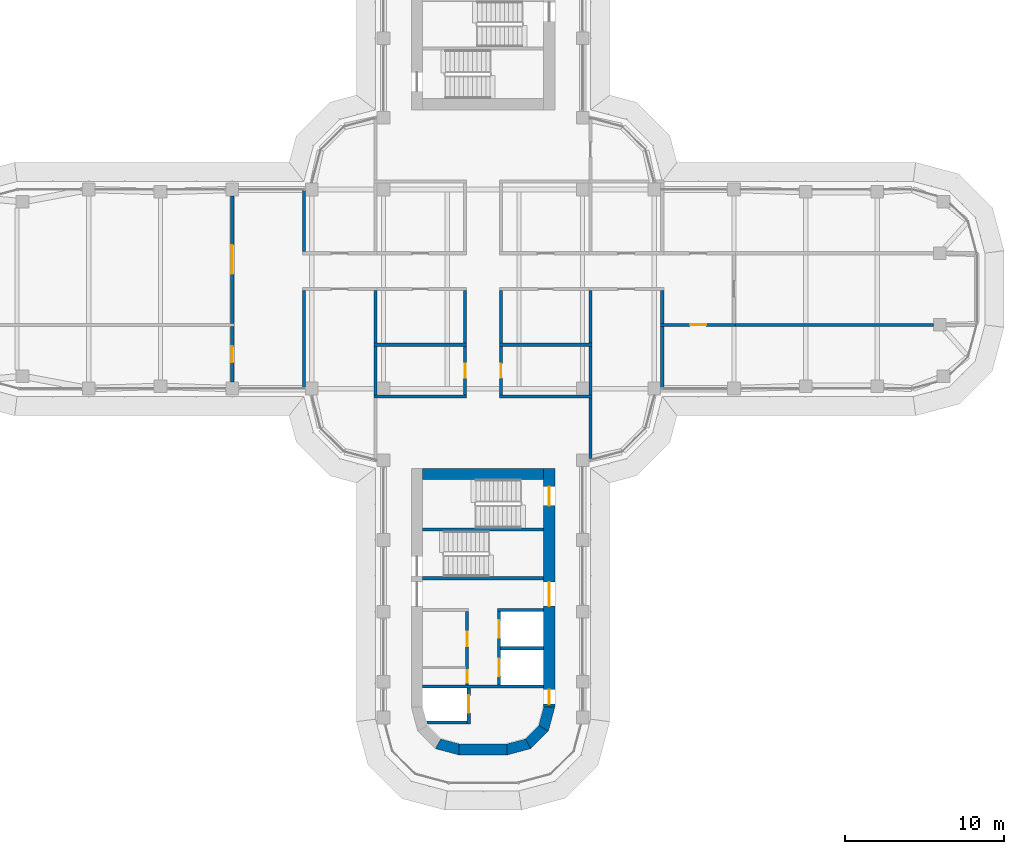
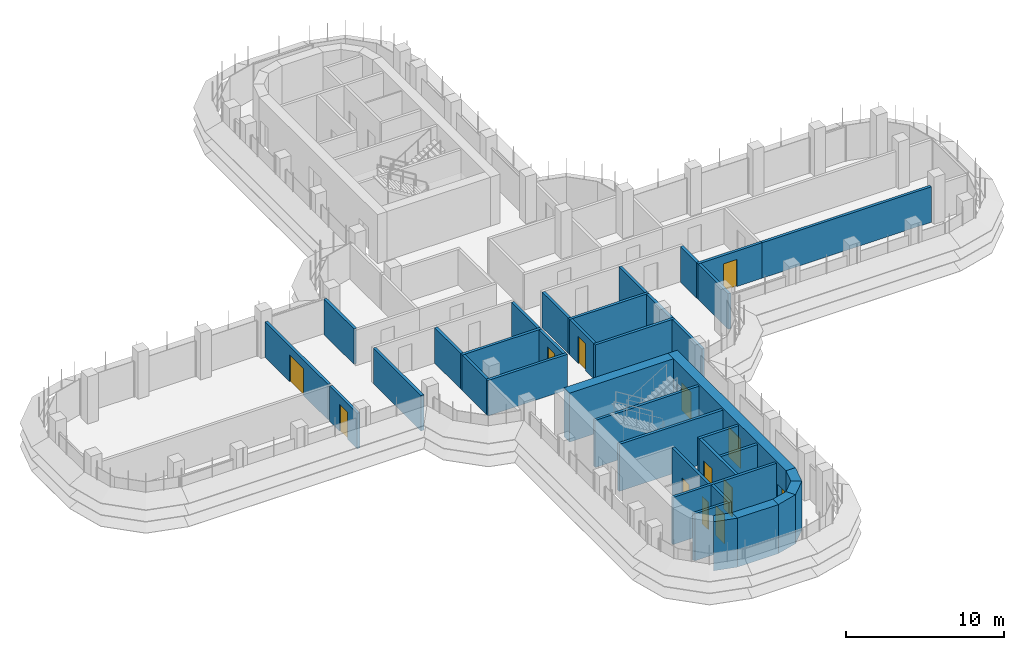
# One storey, part 13 of 19: 37 walls, 13 doors, 13 openings.
"""IFC4 building model written with IfcOpenShell, lengths in metres."""

import ifcopenshell
import ifcopenshell.guid

model = None  # the IFC model being written
_history = None  # IfcOwnerHistory: only IFC2X3 demands one
_inside = {}  # id of a spatial element -> (the spatial element, [elements in it])
_under = {}  # id of a project, library or spatial element -> (it, [spatial elements below it])
_declared = {}  # id of a project -> (the project, [libraries it declares])
_typed = {}  # id of a type object -> (the type object, [elements of that type])
_made_of = {}  # id of a material, layer set ... -> (it, [elements and type objects made of it])


def new_model(schema):
    """Start an empty IFC model of exactly this schema.

    Asked for "IFC4X3", IfcOpenShell would pick the latest addendum, in which some entities
    have other attributes; the version numbers below select the first issue.
    IFC2X3 requires an IfcOwnerHistory on every rooted entity: one is made here for all.
    """
    global model, _history
    if schema == "IFC4X3":
        model = ifcopenshell.file(schema_version=(4, 3, 0, 0))
    else:
        model = ifcopenshell.file(schema=schema)
    _inside.clear()
    _under.clear()
    _declared.clear()
    _typed.clear()
    _made_of.clear()
    _history = None
    if model.schema == "IFC2X3":
        org = make("IfcOrganization", Name="unknown")
        user = make(
            "IfcPersonAndOrganization",
            ThePerson=make("IfcPerson", FamilyName="unknown"),
            TheOrganization=org,
        )
        app = make(
            "IfcApplication",
            ApplicationDeveloper=org,
            Version="unknown",
            ApplicationFullName="unknown",
            ApplicationIdentifier="unknown",
        )
        _history = make(
            "IfcOwnerHistory",
            OwningUser=user,
            OwningApplication=app,
            ChangeAction="ADDED",
            CreationDate=0,
        )
    return model


def make(cls, **values):
    """One entity of the class cls with the attributes given. An attribute that is None is left unset."""
    return model.create_entity(
        cls, **{name: value for name, value in values.items() if value is not None}
    )


def rooted(cls, **values):
    """An entity with a GlobalId (a new one), such as an element, a storey or a relation."""
    return make(cls, GlobalId=ifcopenshell.guid.new(), OwnerHistory=_history, **values)


def si_unit(unit_type, name, prefix=None):
    """IfcSIUnit, for example si_unit("LENGTHUNIT", "METRE", prefix="MILLI")."""
    return make("IfcSIUnit", UnitType=unit_type, Prefix=prefix, Name=name)


def assignment(units):
    """IfcUnitAssignment: the units of a project."""
    return None if units is None else make("IfcUnitAssignment", Units=units)


def point(xyz):
    """IfcCartesianPoint."""
    return None if xyz is None else make("IfcCartesianPoint", Coordinates=xyz)


def direction(xyz):
    """IfcDirection."""
    return None if xyz is None else make("IfcDirection", DirectionRatios=xyz)


def frame(location, z_axis=None, x_axis=None):
    """IfcAxis2Placement3D, a coordinate frame: its origin and axes. An axis left out is left unset."""
    return make(
        "IfcAxis2Placement3D",
        Location=point(location),
        Axis=direction(z_axis),
        RefDirection=direction(x_axis),
    )


def frame_2d(location, x_axis=None):
    """IfcAxis2Placement2D, a coordinate frame in the plane: its origin and x axis."""
    return make(
        "IfcAxis2Placement2D", Location=point(location), RefDirection=direction(x_axis)
    )


def origin():
    """The frame at (0, 0, 0) with its axes left unset."""
    return frame((0.0, 0.0, 0.0))


def place(relative_to, where):
    """IfcLocalPlacement: puts the frame where relative to a parent placement (None: the world)."""
    return make(
        "IfcLocalPlacement", PlacementRelTo=relative_to, RelativePlacement=where
    )


def context(
    kind, dimensions, precision=None, world=None, true_north=None, identifier=None
):
    """IfcGeometricRepresentationContext, for example the 3D "Model" context."""
    return make(
        "IfcGeometricRepresentationContext",
        ContextIdentifier=identifier,
        ContextType=kind,
        CoordinateSpaceDimension=dimensions,
        Precision=precision,
        WorldCoordinateSystem=world,
        TrueNorth=true_north,
    )


def subcontext(parent, identifier, kind, view, scale=None):
    """IfcGeometricRepresentationSubContext, for example "Body" below "Model"."""
    return make(
        "IfcGeometricRepresentationSubContext",
        ContextIdentifier=identifier,
        ContextType=kind,
        ParentContext=parent,
        TargetScale=scale,
        TargetView=view,
    )


def project(units=None, contexts=None):
    """IfcProject with its units and contexts."""
    return rooted(
        "IfcProject",
        Name="project",
        RepresentationContexts=contexts,
        UnitsInContext=assignment(units),
    )


def spatial(cls, under=None, at=None, **own):
    """A site, building, storey or space (cls), placed at a placement, below another one or the project."""
    s = rooted(cls, ObjectPlacement=at, **own)
    if under is not None:
        _under.setdefault(under.id(), (under, []))[1].append(s)
    return s


def polyline(points):
    """IfcPolyline through the points."""
    return make("IfcPolyline", Points=[point(p) for p in points])


def profile(cls, at=None, kind="AREA", **sizes):
    """A parametric profile (cls). Its sizes go by their IFC names, for example OverallWidth=200.0."""
    return make(cls, ProfileType=kind, Position=at, **sizes)


def rectangle(**sizes):
    """IfcRectangleProfileDef."""
    return profile("IfcRectangleProfileDef", **sizes)


def outline(outer, holes=None, kind="AREA"):
    """IfcArbitraryClosedProfileDef: a profile drawn as a closed curve; with holes, ...WithVoids."""
    if holes is None:
        return make("IfcArbitraryClosedProfileDef", ProfileType=kind, OuterCurve=outer)
    return make(
        "IfcArbitraryProfileDefWithVoids",
        ProfileType=kind,
        OuterCurve=outer,
        InnerCurves=holes,
    )


def extrude(swept, where, along, depth):
    """IfcExtrudedAreaSolid: the profile swept, set in the frame where, extruded along a direction by depth."""
    return make(
        "IfcExtrudedAreaSolid",
        SweptArea=swept,
        Position=where,
        ExtrudedDirection=direction(along),
        Depth=depth,
    )


def shape(context_of_items, identifier, shape_type, items):
    """IfcShapeRepresentation: the items that make up one representation, for example the "Body"."""
    return make(
        "IfcShapeRepresentation",
        ContextOfItems=context_of_items,
        RepresentationIdentifier=identifier,
        RepresentationType=shape_type,
        Items=items,
    )


def material(Name=None, Category=None):
    """IfcMaterial."""
    return make("IfcMaterial", Name=Name, Category=Category)


def layer(
    of_material, thickness, ventilated=None, Name=None, Category=None, Priority=None
):
    """IfcMaterialLayer: one layer of a wall or slab, of a material (None: an air gap)."""
    return make(
        "IfcMaterialLayer",
        Material=of_material,
        LayerThickness=thickness,
        IsVentilated=ventilated,
        Name=Name,
        Category=Category,
        Priority=Priority,
    )


def layer_set(layers, Name=None):
    """IfcMaterialLayerSet."""
    return make("IfcMaterialLayerSet", MaterialLayers=layers, LayerSetName=Name)


def made_of(thing, what):
    """Note that an element or type object is made of a material, layer set ...; save() writes the relation."""
    if what is not None:
        _made_of.setdefault(what.id(), (what, []))[1].append(thing)
    return thing


def type_object(cls, material=None, **own):
    """A type object (cls), such as IfcWallType, which elements share."""
    return made_of(rooted(cls, **own), material)


def element(
    cls,
    number,
    at=None,
    inside=None,
    cuts=None,
    type_object=None,
    material=None,
    context=None,
    identifier="Body",
    shape_type=None,
    held_by="IfcProductDefinitionShape",
    body=None,
    shapes=None,
    **own,
):
    """One element of the class cls, such as IfcWall. Its Tag is "e" and its number.

    at: its placement. inside: the storey or other place that contains it. cuts: it is an
    opening in that element (IfcRelVoidsElement). A single representation is given by context,
    identifier, shape_type and body (its items); several are given by shapes. held_by: the class
    of the entity that holds the representations. save() writes the other relations.
    """
    e = rooted(cls, Tag="e%d" % number, ObjectPlacement=at, **own)
    if body is not None:
        shapes = [shape(context, identifier, shape_type, body)]
    if shapes is not None:
        e.Representation = make(held_by, Representations=shapes)
    if inside is not None:
        _inside.setdefault(inside.id(), (inside, []))[1].append(e)
    if cuts is not None:
        rooted(
            "IfcRelVoidsElement", RelatingBuildingElement=cuts, RelatedOpeningElement=e
        )
    if type_object is not None:
        _typed.setdefault(type_object.id(), (type_object, []))[1].append(e)
    return made_of(e, material)


def fill(opening, filler):
    """IfcRelFillsElement: the door or window that sits in an opening."""
    return rooted(
        "IfcRelFillsElement",
        RelatingOpeningElement=opening,
        RelatedBuildingElement=filler,
    )


def aggregate(whole, parts):
    """IfcRelAggregates: a whole, such as a stair, and the parts it consists of."""
    return rooted("IfcRelAggregates", RelatingObject=whole, RelatedObjects=parts)


def save(model, path):
    """Write the relations noted so far, then the file.

    IfcRelAggregates (storeys below a building ...), IfcRelContainedInSpatialStructure (elements
    in a storey), IfcRelDefinesByType, IfcRelAssociatesMaterial and IfcRelDeclares: one each for
    every whole, place, type object, material and project.
    """
    for whole, parts in _under.values():
        aggregate(whole, parts)
    for where, things in _inside.values():
        rooted(
            "IfcRelContainedInSpatialStructure",
            RelatedElements=things,
            RelatingStructure=where,
        )
    for kind, things in _typed.values():
        rooted("IfcRelDefinesByType", RelatedObjects=things, RelatingType=kind)
    for what, things in _made_of.values():
        rooted("IfcRelAssociatesMaterial", RelatedObjects=things, RelatingMaterial=what)
    for by, libraries in _declared.values():
        rooted("IfcRelDeclares", RelatingContext=by, RelatedDefinitions=libraries)
    model.write(path)


model = new_model("IFC4")

# Units and contexts
model_context = context("Model", 3, precision=1e-05, world=origin(), true_north=direction((0.0, 1.0)))
body_context = subcontext(model_context, "Body", "Model", "MODEL_VIEW")
ifc_project = project(units=[si_unit("LENGTHUNIT", "METRE"), si_unit("AREAUNIT", "SQUARE_METRE"), si_unit("VOLUMEUNIT", "CUBIC_METRE"), si_unit("PLANEANGLEUNIT", "RADIAN"), si_unit("MASSUNIT", "GRAM", prefix="KILO")], contexts=[model_context])

# Site, building, storey
site_placement = place(None, origin())
site = spatial("IfcSite", under=ifc_project, at=site_placement, CompositionType="ELEMENT")
building_placement = place(site_placement, origin())
building = spatial("IfcBuilding", under=site, at=building_placement, Name="Zarbagh Exchange Tower", CompositionType="ELEMENT")
storey_placement = place(building_placement, frame((0.0, 0.0, 182.800048828125)))
storey = spatial("IfcBuildingStorey", under=building, at=storey_placement, Name="L44", CompositionType="ELEMENT", Elevation=182.800048828125)

# Wall
ifc_material_1 = material(Name="Fire-rated plasterboard partition")
ifc_layer_1 = layer(ifc_material_1, 0.199951171875)
ifc_layer_set_1 = layer_set([ifc_layer_1], Name="RATED PARTITION 200")
wall_type_1 = type_object("IfcWallType", Name="RATED PARTITION 200", PredefinedType="PARTITIONING", material=ifc_layer_set_1)
wall_1_placement = place(storey_placement, frame((1.125, -3.39990234375, 0.0), z_axis=(0.0, 0.0, 1.0), x_axis=(0.0, 1.0, 0.0)))
element("IfcWall", 1, at=wall_1_placement, inside=storey, type_object=wall_type_1, Name="Partition W-1911", PredefinedType="PARTITIONING", context=body_context, shape_type="SweptSolid", body=[
    extrude(rectangle(XDim=3.2998046875, YDim=0.199951171875, at=frame_2d((1.64990234375, 0.0))), origin(), (0.0, 0.0, 1.0), 2.75),
])

# Wall, opening, door
wall_2_placement = place(storey_placement, frame((1.125, -3.60009765625, 0.0), z_axis=(0.0, 0.0, 1.0), x_axis=(0.0, -1.0, 0.0)))
wall_2 = element("IfcWall", 2, at=wall_2_placement, inside=storey, type_object=wall_type_1, Name="Partition W-1912", PredefinedType="PARTITIONING", context=body_context, shape_type="SweptSolid", body=[
    extrude(rectangle(XDim=3.0498046875, YDim=0.199951171875, at=frame_2d((1.52490234375, 0.0))), origin(), (0.0, 0.0, 1.0), 2.75),
])
opening_1_placement = place(wall_2_placement, frame((1.074951171875, 0.0, 0.0)))
opening_1 = element("IfcOpeningElement", 3, at=opening_1_placement, cuts=wall_2, Name="Opening D-1910", PredefinedType="OPENING", context=body_context, shape_type="SweptSolid", body=[
    extrude(rectangle(XDim=0.89990234375, YDim=2.10009765625, at=frame_2d((0.449951171875, 1.050048828125))), frame((0.0, 0.10986328125, 0.0), z_axis=(0.0, -1.0, 0.0), x_axis=(1.0, 0.0, 0.0)), (0.0, 0.0, 1.0), 0.219970703125),
])
ifc_material_2 = material(Name="Timber door leaf", Category="wood")
door_type_1 = type_object("IfcDoorType", Name="DOOR 900 X 2100", OperationType="NOTDEFINED", PredefinedType="DOOR", material=ifc_material_2)
door_1_placement = place(opening_1_placement, origin())
door_1 = element("IfcDoor", 4, at=door_1_placement, inside=storey, type_object=door_type_1, Name="Door D-1910", OperationType="SINGLE_SWING_LEFT", OverallHeight=2.10009765625, OverallWidth=0.89990234375, PredefinedType="DOOR", context=body_context, shape_type="SweptSolid", body=[
    extrude(rectangle(XDim=0.89990234375, YDim=2.10009765625, at=frame_2d((0.449951171875, 1.050048828125))), frame((0.0, 0.02490234375, 0.0), z_axis=(0.0, -1.0, 0.0), x_axis=(1.0, 0.0, 0.0)), (0.0, 0.0, 1.0), 0.050048828125),
])
fill(opening_1, door_1)

# Wall
wall_3_placement = place(storey_placement, frame((-1.125, -3.39990234375, 0.0), z_axis=(0.0, 0.0, 1.0), x_axis=(0.0, 1.0, 0.0)))
element("IfcWall", 5, at=wall_3_placement, inside=storey, type_object=wall_type_1, Name="Partition W-1913", PredefinedType="PARTITIONING", context=body_context, shape_type="SweptSolid", body=[
    extrude(rectangle(XDim=3.2998046875, YDim=0.199951171875, at=frame_2d((1.64990234375, 0.0))), origin(), (0.0, 0.0, 1.0), 2.75),
])

# Wall, opening, door
wall_4_placement = place(storey_placement, frame((-1.125, -6.64990234375, 0.0), z_axis=(0.0, 0.0, 1.0), x_axis=(0.0, 1.0, 0.0)))
wall_4 = element("IfcWall", 6, at=wall_4_placement, inside=storey, type_object=wall_type_1, Name="Partition W-1914", PredefinedType="PARTITIONING", context=body_context, shape_type="SweptSolid", body=[
    extrude(rectangle(XDim=3.0498046875, YDim=0.199951171875, at=frame_2d((1.52490234375, 0.0))), origin(), (0.0, 0.0, 1.0), 2.75),
])
opening_2_placement = place(wall_4_placement, frame((1.074951171875, 0.0, 0.0)))
opening_2 = element("IfcOpeningElement", 7, at=opening_2_placement, cuts=wall_4, Name="Opening D-1913", PredefinedType="OPENING", context=body_context, shape_type="SweptSolid", body=[
    extrude(rectangle(XDim=0.89990234375, YDim=2.10009765625, at=frame_2d((0.449951171875, 1.050048828125))), frame((0.0, 0.10986328125, 0.0), z_axis=(0.0, -1.0, 0.0), x_axis=(1.0, 0.0, 0.0)), (0.0, 0.0, 1.0), 0.219970703125),
])
door_2_placement = place(opening_2_placement, origin())
door_2 = element("IfcDoor", 8, at=door_2_placement, inside=storey, type_object=door_type_1, Name="Door D-1913", OperationType="SINGLE_SWING_RIGHT", OverallHeight=2.10009765625, OverallWidth=0.89990234375, PredefinedType="DOOR", context=body_context, shape_type="SweptSolid", body=[
    extrude(rectangle(XDim=0.89990234375, YDim=2.10009765625, at=frame_2d((0.449951171875, 1.050048828125))), frame((0.0, 0.02490234375, 0.0), z_axis=(0.0, -1.0, 0.0), x_axis=(1.0, 0.0, 0.0)), (0.0, 0.0, 1.0), 0.050048828125),
])
fill(opening_2, door_2)

# Walls
wall_5_placement = place(storey_placement, frame((1.02490234375, -6.75, 0.0), z_axis=(0.0, 0.0, 1.0), x_axis=(1.0, 0.0, 0.0)))
element("IfcWall", 9, at=wall_5_placement, inside=storey, type_object=wall_type_1, Name="Partition W-1919", PredefinedType="PARTITIONING", context=body_context, shape_type="SweptSolid", body=[
    extrude(rectangle(XDim=5.8251953125, YDim=0.199951171875, at=frame_2d((2.91259765625, 0.0))), origin(), (0.0, 0.0, 1.0), 2.75),
])
wall_6_placement = place(storey_placement, frame((6.75, -10.6298828125, 0.0), z_axis=(0.0, 0.0, 1.0), x_axis=(0.0, 1.0, 0.0)))
element("IfcWall", 10, at=wall_6_placement, inside=storey, type_object=wall_type_1, Name="Partition W-1920", PredefinedType="PARTITIONING", context=body_context, shape_type="SweptSolid", body=[
    extrude(rectangle(XDim=3.77978515625, YDim=0.199951171875, at=frame_2d((1.889892578125, 0.0))), origin(), (0.0, 0.0, 1.0), 2.75),
])
wall_7_placement = place(storey_placement, frame((-6.85009765625, -6.75, 0.0), z_axis=(0.0, 0.0, 1.0), x_axis=(1.0, 0.0, 0.0)))
element("IfcWall", 11, at=wall_7_placement, inside=storey, type_object=wall_type_1, Name="Partition W-1921", PredefinedType="PARTITIONING", context=body_context, shape_type="SweptSolid", body=[
    extrude(rectangle(XDim=5.8251953125, YDim=0.199951171875, at=frame_2d((2.91259765625, 0.0))), origin(), (0.0, 0.0, 1.0), 2.75),
])
wall_8_placement = place(storey_placement, frame((-11.25, 2.35009765625, 0.0), z_axis=(0.0, 0.0, 1.0), x_axis=(0.0, 1.0, 0.0)))
element("IfcWall", 12, at=wall_8_placement, inside=storey, type_object=wall_type_1, Name="Partition W-1927", PredefinedType="PARTITIONING", context=body_context, shape_type="SweptSolid", body=[
    extrude(rectangle(XDim=3.81982421875, YDim=0.199951171875, at=frame_2d((1.909912109375, 0.0))), origin(), (0.0, 0.0, 1.0), 2.75),
])
wall_9_placement = place(storey_placement, frame((1.02490234375, -3.5, 0.0), z_axis=(0.0, 0.0, 1.0), x_axis=(1.0, 0.0, 0.0)))
element("IfcWall", 13, at=wall_9_placement, inside=storey, type_object=wall_type_1, Name="Partition W-1928", PredefinedType="PARTITIONING", context=body_context, shape_type="SweptSolid", body=[
    extrude(rectangle(XDim=5.8251953125, YDim=0.199951171875, at=frame_2d((2.91259765625, 0.0))), origin(), (0.0, 0.0, 1.0), 2.75),
])
wall_10_placement = place(storey_placement, frame((6.75, -3.39990234375, 0.0), z_axis=(0.0, 0.0, 1.0), x_axis=(0.0, 1.0, 0.0)))
element("IfcWall", 14, at=wall_10_placement, inside=storey, type_object=wall_type_1, Name="Partition W-1929", PredefinedType="PARTITIONING", context=body_context, shape_type="SweptSolid", body=[
    extrude(rectangle(XDim=3.2998046875, YDim=0.199951171875, at=frame_2d((1.64990234375, 0.0))), origin(), (0.0, 0.0, 1.0), 2.75),
])
wall_11_placement = place(storey_placement, frame((6.75, -6.64990234375, 0.0), z_axis=(0.0, 0.0, 1.0), x_axis=(0.0, 1.0, 0.0)))
element("IfcWall", 15, at=wall_11_placement, inside=storey, type_object=wall_type_1, Name="Partition W-1930", PredefinedType="PARTITIONING", context=body_context, shape_type="SweptSolid", body=[
    extrude(rectangle(XDim=3.0498046875, YDim=0.199951171875, at=frame_2d((1.52490234375, 0.0))), origin(), (0.0, 0.0, 1.0), 2.75),
])
wall_12_placement = place(storey_placement, frame((11.25, -2.14990234375, 0.0), z_axis=(0.0, 0.0, 1.0), x_axis=(0.0, 1.0, 0.0)))
element("IfcWall", 16, at=wall_12_placement, inside=storey, type_object=wall_type_1, Name="Partition W-1931", PredefinedType="PARTITIONING", context=body_context, shape_type="SweptSolid", body=[
    extrude(rectangle(XDim=2.0498046875, YDim=0.199951171875, at=frame_2d((1.02490234375, 0.0))), origin(), (0.0, 0.0, 1.0), 2.75),
])
wall_13_placement = place(storey_placement, frame((11.25, -6.169921875, 0.0), z_axis=(0.0, 0.0, 1.0), x_axis=(0.0, 1.0, 0.0)))
element("IfcWall", 17, at=wall_13_placement, inside=storey, type_object=wall_type_1, Name="Partition W-1932", PredefinedType="PARTITIONING", context=body_context, shape_type="SweptSolid", body=[
    extrude(rectangle(XDim=3.81982421875, YDim=0.199951171875, at=frame_2d((1.909912109375, 0.0))), origin(), (0.0, 0.0, 1.0), 2.75),
])
wall_14_placement = place(storey_placement, frame((-6.85009765625, -3.5, 0.0), z_axis=(0.0, 0.0, 1.0), x_axis=(1.0, 0.0, 0.0)))
element("IfcWall", 18, at=wall_14_placement, inside=storey, type_object=wall_type_1, Name="Partition W-1933", PredefinedType="PARTITIONING", context=body_context, shape_type="SweptSolid", body=[
    extrude(rectangle(XDim=5.8251953125, YDim=0.199951171875, at=frame_2d((2.91259765625, 0.0))), origin(), (0.0, 0.0, 1.0), 2.75),
])
wall_15_placement = place(storey_placement, frame((-6.75, -3.39990234375, 0.0), z_axis=(0.0, 0.0, 1.0), x_axis=(0.0, 1.0, 0.0)))
element("IfcWall", 19, at=wall_15_placement, inside=storey, type_object=wall_type_1, Name="Partition W-1934", PredefinedType="PARTITIONING", context=body_context, shape_type="SweptSolid", body=[
    extrude(rectangle(XDim=3.2998046875, YDim=0.199951171875, at=frame_2d((1.64990234375, 0.0))), origin(), (0.0, 0.0, 1.0), 2.75),
])
wall_16_placement = place(storey_placement, frame((-6.75, -6.64990234375, 0.0), z_axis=(0.0, 0.0, 1.0), x_axis=(0.0, 1.0, 0.0)))
element("IfcWall", 20, at=wall_16_placement, inside=storey, type_object=wall_type_1, Name="Partition W-1935", PredefinedType="PARTITIONING", context=body_context, shape_type="SweptSolid", body=[
    extrude(rectangle(XDim=3.0498046875, YDim=0.199951171875, at=frame_2d((1.52490234375, 0.0))), origin(), (0.0, 0.0, 1.0), 2.75),
])
wall_17_placement = place(storey_placement, frame((-11.25, -6.169921875, 0.0), z_axis=(0.0, 0.0, 1.0), x_axis=(0.0, 1.0, 0.0)))
element("IfcWall", 21, at=wall_17_placement, inside=storey, type_object=wall_type_1, Name="Partition W-1936", PredefinedType="PARTITIONING", context=body_context, shape_type="SweptSolid", body=[
    extrude(rectangle(XDim=6.06982421875, YDim=0.199951171875, at=frame_2d((3.034912109375, 0.0))), origin(), (0.0, 0.0, 1.0), 2.75),
])

# Wall, opening, door
wall_18_placement = place(storey_placement, frame((15.85009765625, -2.25, 0.0), z_axis=(0.0, 0.0, 1.0), x_axis=(-1.0, 0.0, 0.0)))
wall_18 = element("IfcWall", 22, at=wall_18_placement, inside=storey, type_object=wall_type_1, Name="Partition W-1938", PredefinedType="PARTITIONING", context=body_context, shape_type="SweptSolid", body=[
    extrude(rectangle(XDim=4.7001953125, YDim=0.199951171875, at=frame_2d((2.35009765625, 0.0))), origin(), (0.0, 0.0, 1.0), 2.75),
])
opening_3_placement = place(wall_18_placement, frame((1.85009765625, 0.0, 0.0)))
opening_3 = element("IfcOpeningElement", 23, at=opening_3_placement, cuts=wall_18, Name="Opening D-1903", PredefinedType="OPENING", context=body_context, shape_type="SweptSolid", body=[
    extrude(rectangle(XDim=1.0, YDim=2.10009765625, at=frame_2d((0.5, 1.050048828125))), frame((0.0, 0.10986328125, 0.0), z_axis=(0.0, -1.0, 0.0), x_axis=(1.0, 0.0, 0.0)), (0.0, 0.0, 1.0), 0.219970703125),
])
ifc_material_3 = material(Name="Steel door set", Category="steel")
door_type_2 = type_object("IfcDoorType", Name="FIRE DOOR 1000 X 2100 FD30S", OperationType="NOTDEFINED", PredefinedType="DOOR", material=ifc_material_3)
door_3_placement = place(opening_3_placement, origin())
door_3 = element("IfcDoor", 24, at=door_3_placement, inside=storey, type_object=door_type_2, Name="Door D-1903", OperationType="SINGLE_SWING_RIGHT", OverallHeight=2.10009765625, OverallWidth=1.0, PredefinedType="DOOR", context=body_context, shape_type="SweptSolid", body=[
    extrude(rectangle(XDim=1.0, YDim=2.10009765625, at=frame_2d((0.5, 1.050048828125))), frame((0.0, 0.02490234375, 0.0), z_axis=(0.0, -1.0, 0.0), x_axis=(1.0, 0.0, 0.0)), (0.0, 0.0, 1.0), 0.050048828125),
])
fill(opening_3, door_3)

# Wall
wall_19_placement = place(storey_placement, frame((15.64990234375, -2.25, 0.0), z_axis=(0.0, 0.0, 1.0), x_axis=(1.0, 0.0, 0.0)))
element("IfcWall", 25, at=wall_19_placement, inside=storey, type_object=wall_type_1, Name="Partition W-1942", PredefinedType="PARTITIONING", context=body_context, shape_type="SweptSolid", body=[
    extrude(rectangle(XDim=12.6201171875, YDim=0.199951171875, at=frame_2d((6.31005859375, 0.0))), origin(), (0.0, 0.0, 1.0), 2.75),
])

# Wall, opening, door
wall_20_placement = place(storey_placement, frame((-15.75, -5.85009765625, 0.0), z_axis=(0.0, 0.0, 1.0), x_axis=(0.0, 1.0, 0.0)))
wall_20 = element("IfcWall", 26, at=wall_20_placement, inside=storey, type_object=wall_type_1, Name="Partition W-1944", PredefinedType="PARTITIONING", context=body_context, shape_type="SweptSolid", body=[
    extrude(rectangle(XDim=3.5, YDim=0.199951171875, at=frame_2d((1.75, 0.0))), origin(), (0.0, 0.0, 1.0), 2.75),
])
opening_4_placement = place(wall_20_placement, frame((1.25, 0.0, 0.0)))
opening_4 = element("IfcOpeningElement", 27, at=opening_4_placement, cuts=wall_20, Name="Opening D-1915", PredefinedType="OPENING", context=body_context, shape_type="SweptSolid", body=[
    extrude(rectangle(XDim=1.0, YDim=2.10009765625, at=frame_2d((0.5, 1.050048828125))), frame((0.0, 0.10986328125, 0.0), z_axis=(0.0, -1.0, 0.0), x_axis=(1.0, 0.0, 0.0)), (0.0, 0.0, 1.0), 0.219970703125),
])
door_4_placement = place(opening_4_placement, origin())
door_4 = element("IfcDoor", 28, at=door_4_placement, inside=storey, type_object=door_type_2, Name="Door D-1915", OperationType="SINGLE_SWING_RIGHT", OverallHeight=2.10009765625, OverallWidth=1.0, PredefinedType="DOOR", context=body_context, shape_type="SweptSolid", body=[
    extrude(rectangle(XDim=1.0, YDim=2.10009765625, at=frame_2d((0.5, 1.050048828125))), frame((0.0, 0.02490234375, 0.0), z_axis=(0.0, -1.0, 0.0), x_axis=(1.0, 0.0, 0.0)), (0.0, 0.0, 1.0), 0.050048828125),
])
fill(opening_4, door_4)

wall_21_placement = place(storey_placement, frame((-15.75, 5.85009765625, 0.0), z_axis=(0.0, 0.0, 1.0), x_axis=(0.0, -1.0, 0.0)))
wall_21 = element("IfcWall", 29, at=wall_21_placement, inside=storey, type_object=wall_type_1, Name="Partition W-1945", PredefinedType="PARTITIONING", context=body_context, shape_type="SweptSolid", body=[
    extrude(rectangle(XDim=8.0, YDim=0.199951171875, at=frame_2d((4.0, 0.0))), origin(), (0.0, 0.0, 1.0), 2.75),
])
opening_5_placement = place(wall_21_placement, frame((3.10009765625, 0.0, 0.0)))
opening_5 = element("IfcOpeningElement", 30, at=opening_5_placement, cuts=wall_21, Name="Opening D-1916", PredefinedType="OPENING", context=body_context, shape_type="SweptSolid", body=[
    extrude(rectangle(XDim=1.800048828125, YDim=2.10009765625, at=frame_2d((0.89990234375, 1.050048828125))), frame((0.0, 0.10986328125, 0.0), z_axis=(0.0, -1.0, 0.0), x_axis=(1.0, 0.0, 0.0)), (0.0, 0.0, 1.0), 0.219970703125),
])
door_type_3 = type_object("IfcDoorType", Name="FIRE DOUBLE DOOR 1800 X 2100 FD30S", OperationType="DOUBLE_DOOR_SINGLE_SWING", PredefinedType="DOOR", material=ifc_material_3)
door_5_placement = place(opening_5_placement, origin())
door_5 = element("IfcDoor", 31, at=door_5_placement, inside=storey, type_object=door_type_3, Name="Door D-1916", OperationType="DOUBLE_DOOR_SINGLE_SWING", OverallHeight=2.10009765625, OverallWidth=1.800048828125, PredefinedType="DOOR", context=body_context, shape_type="SweptSolid", body=[
    extrude(rectangle(XDim=1.800048828125, YDim=2.10009765625, at=frame_2d((0.89990234375, 1.050048828125))), frame((0.0, 0.02490234375, 0.0), z_axis=(0.0, -1.0, 0.0), x_axis=(1.0, 0.0, 0.0)), (0.0, 0.0, 1.0), 0.050048828125),
])
fill(opening_5, door_5)

# Walls
ifc_material_4 = material(Name="Concrete C50/60", Category="concrete")
ifc_layer_2 = layer(ifc_material_4, 0.699951171875)
ifc_layer_set_2 = layer_set([ifc_layer_2], Name="RC core corner wall 700 C50/60")
wall_type_2 = type_object("IfcWallType", Name="RC core corner wall 700 C50/60", PredefinedType="SHEAR", material=ifc_layer_set_2)
wall_22_placement = place(storey_placement, origin())
element("IfcWall", 32, at=wall_22_placement, inside=storey, type_object=wall_type_2, Name="CW6 core S corner W", PredefinedType="SHEAR", context=body_context, shape_type="SweptSolid", body=[
    extrude(outline(polyline([(-3.0, -28.84814453125), (-1.5, -29.25), (-1.5, -28.550048828125), (-2.64990234375, -28.241943359375), (-3.0, -28.84814453125)])), origin(), (0.0, 0.0, 1.0), 3.800048828125),
])
wall_23_placement = place(storey_placement, origin())
element("IfcWall", 33, at=wall_23_placement, inside=storey, type_object=wall_type_2, Name="CW6 core S corner E", PredefinedType="SHEAR", context=body_context, shape_type="SweptSolid", body=[
    extrude(outline(polyline([(4.5, -26.25), (4.09814453125, -27.75), (3.491943359375, -27.39990234375), (3.800048828125, -26.25), (4.5, -26.25)])), origin(), (0.0, 0.0, 1.0), 3.800048828125),
])
wall_24_placement = place(storey_placement, origin())
element("IfcWall", 34, at=wall_24_placement, inside=storey, type_object=wall_type_2, Name="CW6 core S corner E", PredefinedType="SHEAR", context=body_context, shape_type="SweptSolid", body=[
    extrude(outline(polyline([(4.09814453125, -27.75), (3.0, -28.84814453125), (2.64990234375, -28.241943359375), (3.491943359375, -27.39990234375), (4.09814453125, -27.75)])), origin(), (0.0, 0.0, 1.0), 3.800048828125),
])
wall_25_placement = place(storey_placement, origin())
element("IfcWall", 35, at=wall_25_placement, inside=storey, type_object=wall_type_2, Name="CW6 core S corner E", PredefinedType="SHEAR", context=body_context, shape_type="SweptSolid", body=[
    extrude(outline(polyline([(3.0, -28.84814453125), (1.5, -29.25), (1.5, -28.550048828125), (2.64990234375, -28.241943359375), (3.0, -28.84814453125)])), origin(), (0.0, 0.0, 1.0), 3.800048828125),
])

# Wall, openings, doors
ifc_layer_3 = layer(ifc_material_4, 0.699951171875)
ifc_layer_set_3 = layer_set([ifc_layer_3], Name="RC core wall 700 C50/60")
wall_type_3 = type_object("IfcWallType", Name="RC core wall 700 C50/60", PredefinedType="SHEAR", material=ifc_layer_set_3)
wall_26_placement = place(storey_placement, frame((4.14990234375, -11.25, 0.0), z_axis=(0.0, 0.0, 1.0), x_axis=(0.0, -1.0, 0.0)))
wall_26 = element("IfcWall", 36, at=wall_26_placement, inside=storey, type_object=wall_type_3, Name="CW5 core S E", PredefinedType="SHEAR", context=body_context, shape_type="SweptSolid", body=[
    extrude(rectangle(XDim=15.0, YDim=0.699951171875, at=frame_2d((7.5, 0.0))), origin(), (0.0, 0.0, 1.0), 3.800048828125),
])
opening_6_placement = place(wall_26_placement, frame((7.14990234375, 0.0, 0.0)))
opening_6 = element("IfcOpeningElement", 37, at=opening_6_placement, cuts=wall_26, Name="Opening CD1-1500", PredefinedType="OPENING", context=body_context, shape_type="SweptSolid", body=[
    extrude(rectangle(XDim=1.5, YDim=2.300048828125, at=frame_2d((0.75, 1.14990234375))), frame((0.0, 0.35986328125, 0.0), z_axis=(0.0, -1.0, 0.0), x_axis=(1.0, 0.0, 0.0)), (0.0, 0.0, 1.0), 0.719970703125),
])
opening_7_placement = place(wall_26_placement, frame((13.89990234375, 0.0, 0.0)))
opening_7 = element("IfcOpeningElement", 38, at=opening_7_placement, cuts=wall_26, Name="Opening CD2-900", PredefinedType="OPENING", context=body_context, shape_type="SweptSolid", body=[
    extrude(rectangle(XDim=0.89990234375, YDim=2.10009765625, at=frame_2d((0.449951171875, 1.050048828125))), frame((0.0, 0.35986328125, 0.0), z_axis=(0.0, -1.0, 0.0), x_axis=(1.0, 0.0, 0.0)), (0.0, 0.0, 1.0), 0.719970703125),
])
opening_8_placement = place(wall_26_placement, frame((1.14990234375, 0.0, 0.0)))
opening_8 = element("IfcOpeningElement", 39, at=opening_8_placement, cuts=wall_26, Name="Opening SD1-1200", PredefinedType="OPENING", context=body_context, shape_type="SweptSolid", body=[
    extrude(rectangle(XDim=1.199951171875, YDim=2.10009765625, at=frame_2d((0.60009765625, 1.050048828125))), frame((0.0, 0.35986328125, 0.0), z_axis=(0.0, -1.0, 0.0), x_axis=(1.0, 0.0, 0.0)), (0.0, 0.0, 1.0), 0.719970703125),
])
ifc_material_5 = material(Name="Steel", Category="steel")
door_type_4 = type_object("IfcDoorType", Name="Exit stair door 1200 x 2100", OperationType="NOTDEFINED", PredefinedType="DOOR", material=ifc_material_5)
door_6_placement = place(opening_8_placement, origin())
door_6 = element("IfcDoor", 40, at=door_6_placement, inside=storey, type_object=door_type_4, Name="South core stair door ST2", OperationType="SINGLE_SWING_RIGHT", OverallHeight=2.10009765625, OverallWidth=1.199951171875, PredefinedType="DOOR", context=body_context, shape_type="SweptSolid", body=[
    extrude(rectangle(XDim=1.199951171875, YDim=2.10009765625, at=frame_2d((0.60009765625, 1.050048828125))), frame((0.0, 0.02490234375, 0.0), z_axis=(0.0, -1.0, 0.0), x_axis=(1.0, 0.0, 0.0)), (0.0, 0.0, 1.0), 0.050048828125),
])
fill(opening_8, door_6)
door_type_5 = type_object("IfcDoorType", Name="Firefighting lobby door 900 x 2100", OperationType="NOTDEFINED", PredefinedType="DOOR", material=ifc_material_5)
door_7_placement = place(opening_7_placement, origin())
door_7 = element("IfcDoor", 41, at=door_7_placement, inside=storey, type_object=door_type_5, Name="South core firefighting lobby door FF-W", OperationType="SINGLE_SWING_RIGHT", OverallHeight=2.10009765625, OverallWidth=0.89990234375, PredefinedType="DOOR", context=body_context, shape_type="SweptSolid", body=[
    extrude(rectangle(XDim=0.89990234375, YDim=2.10009765625, at=frame_2d((0.449951171875, 1.050048828125))), frame((0.0, 0.02490234375, 0.0), z_axis=(0.0, -1.0, 0.0), x_axis=(1.0, 0.0, 0.0)), (0.0, 0.0, 1.0), 0.050048828125),
])
fill(opening_7, door_7)
door_type_6 = type_object("IfcDoorType", Name="Lift lobby double door 1500 x 2300", OperationType="NOTDEFINED", PredefinedType="DOOR", material=ifc_material_5)
door_8_placement = place(opening_6_placement, origin())
door_8 = element("IfcDoor", 42, at=door_8_placement, inside=storey, type_object=door_type_6, Name="South core lift lobby door LOBBY-W", OperationType="DOUBLE_DOOR_SINGLE_SWING", OverallHeight=2.300048828125, OverallWidth=1.5, PredefinedType="DOOR", context=body_context, shape_type="SweptSolid", body=[
    extrude(rectangle(XDim=1.5, YDim=2.300048828125, at=frame_2d((0.75, 1.14990234375))), frame((0.0, 0.02490234375, 0.0), z_axis=(0.0, -1.0, 0.0), x_axis=(1.0, 0.0, 0.0)), (0.0, 0.0, 1.0), 0.050048828125),
])
fill(opening_6, door_8)

# Walls
wall_27_placement = place(storey_placement, frame((-3.800048828125, -11.60009765625, 0.0), z_axis=(0.0, 0.0, 1.0), x_axis=(1.0, 0.0, 0.0)))
element("IfcWall", 43, at=wall_27_placement, inside=storey, type_object=wall_type_3, Name="CW5 core S inner end", PredefinedType="SHEAR", context=body_context, shape_type="SweptSolid", body=[
    extrude(rectangle(XDim=7.60009765625, YDim=0.699951171875, at=frame_2d((3.800048828125, 0.0))), origin(), (0.0, 0.0, 1.0), 3.800048828125),
])
wall_28_placement = place(storey_placement, frame((-1.5, -28.89990234375, 0.0), z_axis=(0.0, 0.0, 1.0), x_axis=(1.0, 0.0, 0.0)))
element("IfcWall", 44, at=wall_28_placement, inside=storey, type_object=wall_type_3, Name="CW5 core S outer end", PredefinedType="SHEAR", context=body_context, shape_type="SweptSolid", body=[
    extrude(rectangle(XDim=3.0, YDim=0.699951171875, at=frame_2d((1.5, 0.0))), origin(), (0.0, 0.0, 1.0), 3.800048828125),
])
ifc_material_6 = material(Name="Dense blockwork", Category="masonry")
ifc_layer_4 = layer(ifc_material_6, 0.199951171875)
ifc_layer_set_4 = layer_set([ifc_layer_4], Name="Shaft wall 200 mm blockwork")
wall_type_4 = type_object("IfcWallType", Name="Shaft wall 200 mm blockwork", PredefinedType="PARTITIONING", material=ifc_layer_set_4)
wall_29_placement = place(storey_placement, frame((3.800048828125, -20.14990234375, 0.0), z_axis=(0.0, 0.0, 1.0), x_axis=(-1.0, 0.0, 0.0)))
element("IfcWall", 45, at=wall_29_placement, inside=storey, type_object=wall_type_4, Name="South core shaft wall AB-W", PredefinedType="PARTITIONING", context=body_context, shape_type="SweptSolid", body=[
    extrude(rectangle(XDim=2.900146484375, YDim=0.199951171875, at=frame_2d((1.4501953125, 0.0))), origin(), (0.0, 0.0, 1.0), 3.64990234375),
])

# Wall, openings, doors
wall_30_placement = place(storey_placement, frame((1.0, -24.85009765625, 0.0), z_axis=(0.0, 0.0, 1.0), x_axis=(0.0, 1.0, 0.0)))
wall_30 = element("IfcWall", 46, at=wall_30_placement, inside=storey, type_object=wall_type_4, Name="South core shaft wall LW-W", PredefinedType="PARTITIONING", context=body_context, shape_type="SweptSolid", body=[
    extrude(rectangle(XDim=4.60009765625, YDim=0.199951171875, at=frame_2d((2.300048828125, 0.0))), origin(), (0.0, 0.0, 1.0), 3.64990234375),
])
opening_9_placement = place(wall_30_placement, frame((0.550048828125, 0.0, 0.0)))
opening_9 = element("IfcOpeningElement", 47, at=opening_9_placement, cuts=wall_30, Name="Opening LD-1100", PredefinedType="OPENING", context=body_context, shape_type="SweptSolid", body=[
    extrude(rectangle(XDim=1.10009765625, YDim=2.300048828125, at=frame_2d((0.550048828125, 1.14990234375))), frame((0.0, 0.10986328125, 0.0), z_axis=(0.0, -1.0, 0.0), x_axis=(1.0, 0.0, 0.0)), (0.0, 0.0, 1.0), 0.219970703125),
])
opening_10_placement = place(wall_30_placement, frame((2.949951171875, 0.0, 0.0)))
opening_10 = element("IfcOpeningElement", 48, at=opening_10_placement, cuts=wall_30, Name="Opening LD-1100", PredefinedType="OPENING", context=body_context, shape_type="SweptSolid", body=[
    extrude(rectangle(XDim=1.10009765625, YDim=2.300048828125, at=frame_2d((0.550048828125, 1.14990234375))), frame((0.0, 0.10986328125, 0.0), z_axis=(0.0, -1.0, 0.0), x_axis=(1.0, 0.0, 0.0)), (0.0, 0.0, 1.0), 0.219970703125),
])
ifc_material_7 = material(Name="Stainless steel", Category="steel")
door_type_7 = type_object("IfcDoorType", Name="Lift landing door 1100 x 2300", OperationType="NOTDEFINED", PredefinedType="DOOR", material=ifc_material_7)
door_9_placement = place(opening_9_placement, origin())
door_9 = element("IfcDoor", 49, at=door_9_placement, inside=storey, type_object=door_type_7, Name="South core lift landing door LD-P-S1", OperationType="DOUBLE_DOOR_SLIDING", OverallHeight=2.300048828125, OverallWidth=1.10009765625, PredefinedType="DOOR", context=body_context, shape_type="SweptSolid", body=[
    extrude(rectangle(XDim=1.10009765625, YDim=2.300048828125, at=frame_2d((0.550048828125, 1.14990234375))), frame((0.0, 0.02490234375, 0.0), z_axis=(0.0, -1.0, 0.0), x_axis=(1.0, 0.0, 0.0)), (0.0, 0.0, 1.0), 0.050048828125),
])
fill(opening_9, door_9)
door_10_placement = place(opening_10_placement, origin())
door_10 = element("IfcDoor", 50, at=door_10_placement, inside=storey, type_object=door_type_7, Name="South core lift landing door LD-P-S2", OperationType="DOUBLE_DOOR_SLIDING", OverallHeight=2.300048828125, OverallWidth=1.10009765625, PredefinedType="DOOR", context=body_context, shape_type="SweptSolid", body=[
    extrude(rectangle(XDim=1.10009765625, YDim=2.300048828125, at=frame_2d((0.550048828125, 1.14990234375))), frame((0.0, 0.02490234375, 0.0), z_axis=(0.0, -1.0, 0.0), x_axis=(1.0, 0.0, 0.0)), (0.0, 0.0, 1.0), 0.050048828125),
])
fill(opening_10, door_10)

wall_31_placement = place(storey_placement, frame((-1.0, -24.85009765625, 0.0), z_axis=(0.0, 0.0, 1.0), x_axis=(0.0, 1.0, 0.0)))
wall_31 = element("IfcWall", 51, at=wall_31_placement, inside=storey, type_object=wall_type_4, Name="South core shaft wall LW-E", PredefinedType="PARTITIONING", context=body_context, shape_type="SweptSolid", body=[
    extrude(rectangle(XDim=4.60009765625, YDim=0.199951171875, at=frame_2d((2.300048828125, 0.0))), origin(), (0.0, 0.0, 1.0), 3.64990234375),
])
opening_11_placement = place(wall_31_placement, frame((0.125, 0.0, 0.0)))
opening_11 = element("IfcOpeningElement", 52, at=opening_11_placement, cuts=wall_31, Name="Opening CD3-800", PredefinedType="OPENING", context=body_context, shape_type="SweptSolid", body=[
    extrude(rectangle(XDim=0.800048828125, YDim=2.10009765625, at=frame_2d((0.39990234375, 1.050048828125))), frame((0.0, 0.10986328125, 0.0), z_axis=(0.0, -1.0, 0.0), x_axis=(1.0, 0.0, 0.0)), (0.0, 0.0, 1.0), 0.219970703125),
])
opening_12_placement = place(wall_31_placement, frame((2.425048828125, 0.0, 0.0)))
opening_12 = element("IfcOpeningElement", 53, at=opening_12_placement, cuts=wall_31, Name="Opening CD3-900", PredefinedType="OPENING", context=body_context, shape_type="SweptSolid", body=[
    extrude(rectangle(XDim=0.89990234375, YDim=2.10009765625, at=frame_2d((0.449951171875, 1.050048828125))), frame((0.0, 0.10986328125, 0.0), z_axis=(0.0, -1.0, 0.0), x_axis=(1.0, 0.0, 0.0)), (0.0, 0.0, 1.0), 0.219970703125),
])
door_type_8 = type_object("IfcDoorType", Name="Core room door 800 x 2100", OperationType="NOTDEFINED", PredefinedType="DOOR", material=ifc_material_5)
door_11_placement = place(opening_11_placement, origin())
door_11 = element("IfcDoor", 54, at=door_11_placement, inside=storey, type_object=door_type_8, Name="South core Store door RD-E-0", OperationType="SINGLE_SWING_LEFT", OverallHeight=2.10009765625, OverallWidth=0.800048828125, PredefinedType="DOOR", context=body_context, shape_type="SweptSolid", body=[
    extrude(rectangle(XDim=0.800048828125, YDim=2.10009765625, at=frame_2d((0.39990234375, 1.050048828125))), frame((0.0, 0.02490234375, 0.0), z_axis=(0.0, -1.0, 0.0), x_axis=(1.0, 0.0, 0.0)), (0.0, 0.0, 1.0), 0.050048828125),
])
fill(opening_11, door_11)
door_type_9 = type_object("IfcDoorType", Name="Core room door 900 x 2100", OperationType="NOTDEFINED", PredefinedType="DOOR", material=ifc_material_5)
door_12_placement = place(opening_12_placement, origin())
door_12 = element("IfcDoor", 55, at=door_12_placement, inside=storey, type_object=door_type_9, Name="South core Accessible WC door RD-E-1", OperationType="SINGLE_SWING_RIGHT", OverallHeight=2.10009765625, OverallWidth=0.89990234375, PredefinedType="DOOR", context=body_context, shape_type="SweptSolid", body=[
    extrude(rectangle(XDim=0.89990234375, YDim=2.10009765625, at=frame_2d((0.449951171875, 1.050048828125))), frame((0.0, 0.02490234375, 0.0), z_axis=(0.0, -1.0, 0.0), x_axis=(1.0, 0.0, 0.0)), (0.0, 0.0, 1.0), 0.050048828125),
])
fill(opening_12, door_12)

# Walls
wall_32_placement = place(storey_placement, frame((3.800048828125, -22.550048828125, 0.0), z_axis=(0.0, 0.0, 1.0), x_axis=(-1.0, 0.0, 0.0)))
element("IfcWall", 56, at=wall_32_placement, inside=storey, type_object=wall_type_4, Name="South core shaft wall TR-W", PredefinedType="PARTITIONING", context=body_context, shape_type="SweptSolid", body=[
    extrude(rectangle(XDim=2.699951171875, YDim=0.199951171875, at=frame_2d((1.35009765625, 0.0))), origin(), (0.0, 0.0, 1.0), 3.64990234375),
])
ifc_material_8 = material(Name="Concrete C40/50", Category="concrete")
ifc_layer_5 = layer(ifc_material_8, 0.199951171875)
ifc_layer_set_5 = layer_set([ifc_layer_5], Name="Stair enclosure wall 200 mm RC C40/50")
wall_type_5 = type_object("IfcWallType", Name="Stair enclosure wall 200 mm RC C40/50", PredefinedType="SHEAR", material=ifc_layer_set_5)
wall_33_placement = place(storey_placement, frame((3.800048828125, -24.949951171875, 0.0), z_axis=(0.0, 0.0, 1.0), x_axis=(-1.0, 0.0, 0.0)))
element("IfcWall", 57, at=wall_33_placement, inside=storey, type_object=wall_type_5, Name="South core lift shaft wall FFA", PredefinedType="SHEAR", context=body_context, shape_type="SweptSolid", body=[
    extrude(rectangle(XDim=7.60009765625, YDim=0.199951171875, at=frame_2d((3.800048828125, 0.0))), origin(), (0.0, 0.0, 1.0), 3.64990234375),
])

# Wall, opening, door
wall_34_placement = place(storey_placement, frame((-0.89990234375, -27.300048828125, 0.0), z_axis=(0.0, 0.0, 1.0), x_axis=(0.0, 1.0, 0.0)))
wall_34 = element("IfcWall", 58, at=wall_34_placement, inside=storey, type_object=wall_type_5, Name="South core lift shaft wall FFL", PredefinedType="SHEAR", context=body_context, shape_type="SweptSolid", body=[
    extrude(rectangle(XDim=2.25, YDim=0.199951171875, at=frame_2d((1.125, 0.0))), origin(), (0.0, 0.0, 1.0), 3.64990234375),
])
opening_13_placement = place(wall_34_placement, frame((0.699951171875, 0.0, 0.0)))
opening_13 = element("IfcOpeningElement", 59, at=opening_13_placement, cuts=wall_34, Name="Opening LD-1100", PredefinedType="OPENING", context=body_context, shape_type="SweptSolid", body=[
    extrude(rectangle(XDim=1.10009765625, YDim=2.300048828125, at=frame_2d((0.550048828125, 1.14990234375))), frame((0.0, 0.10986328125, 0.0), z_axis=(0.0, -1.0, 0.0), x_axis=(1.0, 0.0, 0.0)), (0.0, 0.0, 1.0), 0.219970703125),
])
door_13_placement = place(opening_13_placement, origin())
door_13 = element("IfcDoor", 60, at=door_13_placement, inside=storey, type_object=door_type_7, Name="South core lift landing door LD-F", OperationType="DOUBLE_DOOR_SLIDING", OverallHeight=2.300048828125, OverallWidth=1.10009765625, PredefinedType="DOOR", context=body_context, shape_type="SweptSolid", body=[
    extrude(rectangle(XDim=1.10009765625, YDim=2.300048828125, at=frame_2d((0.550048828125, 1.14990234375))), frame((0.0, 0.02490234375, 0.0), z_axis=(0.0, -1.0, 0.0), x_axis=(1.0, 0.0, 0.0)), (0.0, 0.0, 1.0), 0.050048828125),
])
fill(opening_13, door_13)

# Walls
wall_35_placement = place(storey_placement, origin())
element("IfcWall", 61, at=wall_35_placement, inside=storey, type_object=wall_type_5, Name="South core lift shaft wall FFX", PredefinedType="SHEAR", context=body_context, shape_type="SweptSolid", body=[
    extrude(outline(polyline([(-1.0, -27.10009765625), (-3.547607421875, -27.10009765625), (-3.493896484375, -27.300048828125), (-1.0, -27.300048828125), (-1.0, -27.10009765625)])), origin(), (0.0, 0.0, 1.0), 3.64990234375),
])
for number, where, z_axis, x_axis, name in (
    (62, (3.800048828125, -18.14990234375, 0.0), (0.0, 0.0, 1.0), (-1.0, 0.0, 0.0), "South core stair wall BS"),
    (63, (3.800048828125, -15.10009765625, 0.0), (0.0, 0.0, 1.0), (-1.0, 0.0, 0.0), "South core stair wall ST12"),
):
    element("IfcWall", number, at=place(storey_placement, frame(where, z_axis=z_axis, x_axis=x_axis)), inside=storey, type_object=wall_type_5, Name=name, PredefinedType="SHEAR", context=body_context, shape_type="SweptSolid", body=[
        extrude(rectangle(XDim=7.60009765625, YDim=0.199951171875, at=frame_2d((3.800048828125, 0.0))), origin(), (0.0, 0.0, 1.0), 3.64990234375),
    ])

save(model, "model.ifc")
